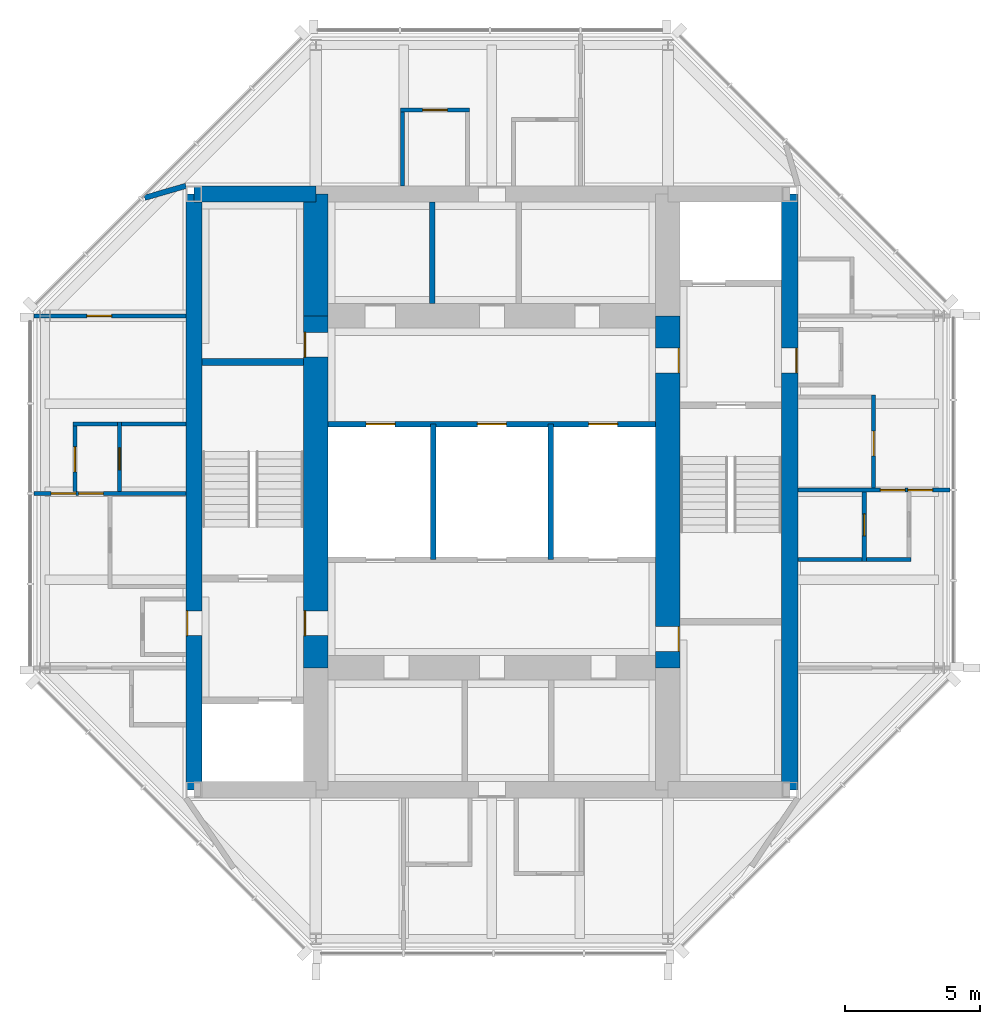
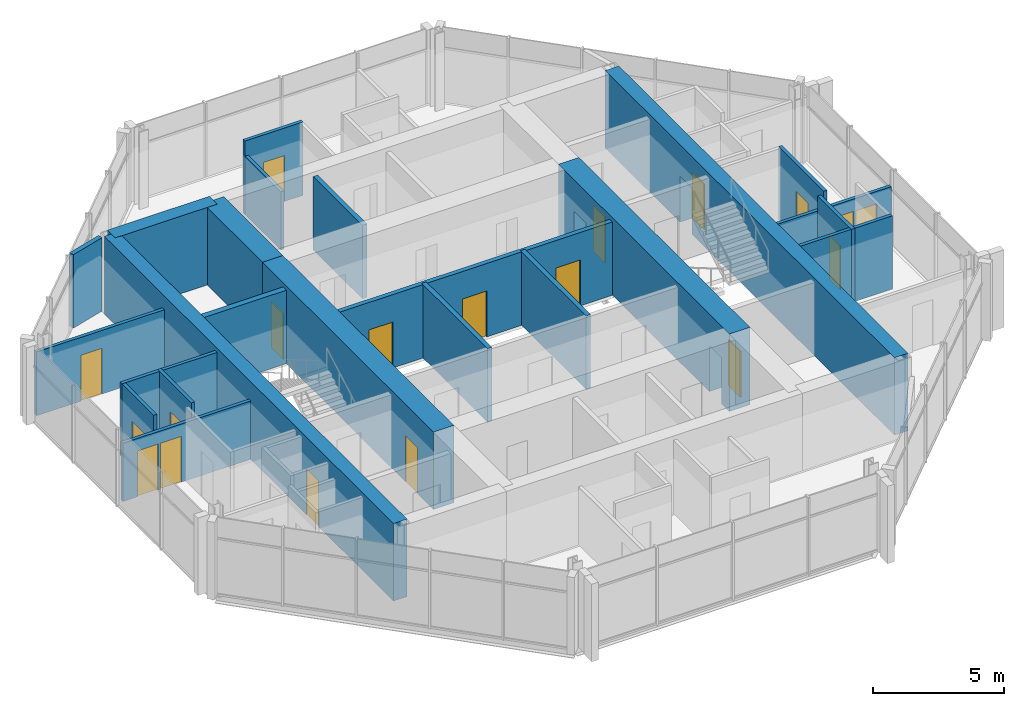
# One storey, part 6 of 9: 25 walls, 19 doors, 19 openings.
"""IFC4 building model written with IfcOpenShell, lengths in metres."""

from ifc_helpers import new_model, si_unit, direction, frame, frame_2d, origin, place, context, subcontext, project, spatial, rectangle, extrude, material, layer, layer_set, type_object, element, fill, save


model = new_model("IFC4")

# Units and contexts
model_context = context("Model", 3, precision=1e-05, world=origin(), true_north=direction((0.0, 1.0)))
body_context = subcontext(model_context, "Body", "Model", "MODEL_VIEW")
ifc_project = project(units=[si_unit("LENGTHUNIT", "METRE"), si_unit("AREAUNIT", "SQUARE_METRE"), si_unit("VOLUMEUNIT", "CUBIC_METRE"), si_unit("PLANEANGLEUNIT", "RADIAN"), si_unit("MASSUNIT", "GRAM", prefix="KILO")], contexts=[model_context])

# Site, building, storey
site_placement = place(None, origin())
site = spatial("IfcSite", under=ifc_project, at=site_placement, CompositionType="ELEMENT")
building_placement = place(site_placement, origin())
building = spatial("IfcBuilding", under=site, at=building_placement, Name="Trevanion Tower", CompositionType="ELEMENT")
storey_placement = place(building_placement, frame((0.0, 0.0, 277.60009765625)))
storey = spatial("IfcBuildingStorey", under=building, at=storey_placement, Name="L68", CompositionType="ELEMENT", Elevation=277.60009765625)

# Wall, opening, door
ifc_material_1 = material(Name="Concrete 10,000 psi", Category="concrete")
ifc_layer_1 = layer(ifc_material_1, 0.60009765625)
ifc_layer_set_1 = layer_set([ifc_layer_1], Name="CW1 core wall 600")
wall_type_1 = type_object("IfcWallType", Name="CW1 core wall 600", PredefinedType="SHEAR", material=ifc_layer_set_1)
wall_1_placement = place(storey_placement, frame((11.0, -11.0, 0.0), z_axis=(0.0, 0.0, 1.0), x_axis=(0.0, 1.0, 0.0)))
wall_1 = element("IfcWall", 1, at=wall_1_placement, inside=storey, type_object=wall_type_1, Name="CW1 CE L68", PredefinedType="SHEAR", context=body_context, shape_type="SweptSolid", body=[
    extrude(rectangle(XDim=22.0, YDim=0.60009765625, at=frame_2d((11.0, 0.0))), origin(), (0.0, 0.0, 1.0), 3.599853515625),
])
opening_1_placement = place(wall_1_placement, frame((15.392578125, 0.0, 0.0)))
opening_1 = element("IfcOpeningElement", 2, at=opening_1_placement, cuts=wall_1, Name="Opening 68-001", PredefinedType="OPENING", context=body_context, shape_type="SweptSolid", body=[
    extrude(rectangle(XDim=0.9150390625, YDim=2.134033203125, at=frame_2d((0.45751953125, 1.06689453125))), frame((0.0, 0.31005859375, 0.0), z_axis=(0.0, -1.0, 0.0), x_axis=(1.0, 0.0, 0.0)), (0.0, 0.0, 1.0), 0.6201171875),
])
ifc_material_2 = material(Name="Hollow metal, fire rated", Category="steel")
door_type_1 = type_object("IfcDoorType", Name="D3 fire lift lobby door", OperationType="SINGLE_SWING_RIGHT", PredefinedType="DOOR", material=ifc_material_2)
door_1_placement = place(opening_1_placement, origin())
door_1 = element("IfcDoor", 3, at=door_1_placement, inside=storey, type_object=door_type_1, Name="Door 68-001", OperationType="SINGLE_SWING_RIGHT", OverallHeight=2.134033203125, OverallWidth=0.9150390625, PredefinedType="DOOR", context=body_context, shape_type="SweptSolid", body=[
    extrude(rectangle(XDim=0.9150390625, YDim=2.134033203125, at=frame_2d((0.45751953125, 1.06689453125))), frame((0.0, -0.22509765625, 0.0), z_axis=(0.0, -1.0, 0.0), x_axis=(1.0, 0.0, 0.0)), (0.0, 0.0, 1.0), 0.050048828125),
])
fill(opening_1, door_1)

wall_2_placement = place(storey_placement, frame((-11.0, 11.0, 0.0), z_axis=(0.0, 0.0, 1.0), x_axis=(0.0, -1.0, 0.0)))
wall_2 = element("IfcWall", 4, at=wall_2_placement, inside=storey, type_object=wall_type_1, Name="CW1 CW L68", PredefinedType="SHEAR", context=body_context, shape_type="SweptSolid", body=[
    extrude(rectangle(XDim=22.0, YDim=0.60009765625, at=frame_2d((11.0, 0.0))), origin(), (0.0, 0.0, 1.0), 3.599853515625),
])
opening_2_placement = place(wall_2_placement, frame((15.392578125, 0.0, 0.0)))
opening_2 = element("IfcOpeningElement", 5, at=opening_2_placement, cuts=wall_2, Name="Opening 68-002", PredefinedType="OPENING", context=body_context, shape_type="SweptSolid", body=[
    extrude(rectangle(XDim=0.9150390625, YDim=2.134033203125, at=frame_2d((0.45751953125, 1.06689453125))), frame((0.0, 0.31005859375, 0.0), z_axis=(0.0, -1.0, 0.0), x_axis=(1.0, 0.0, 0.0)), (0.0, 0.0, 1.0), 0.6201171875),
])
door_2_placement = place(opening_2_placement, origin())
door_2 = element("IfcDoor", 6, at=door_2_placement, inside=storey, type_object=door_type_1, Name="Door 68-002", OperationType="SINGLE_SWING_RIGHT", OverallHeight=2.134033203125, OverallWidth=0.9150390625, PredefinedType="DOOR", context=body_context, shape_type="SweptSolid", body=[
    extrude(rectangle(XDim=0.9150390625, YDim=2.134033203125, at=frame_2d((0.45751953125, 1.06689453125))), frame((0.0, -0.22509765625, 0.0), z_axis=(0.0, -1.0, 0.0), x_axis=(1.0, 0.0, 0.0)), (0.0, 0.0, 1.0), 0.050048828125),
])
fill(opening_2, door_2)

# Wall
wall_3_placement = place(storey_placement, frame((-6.5, 11.0, 0.0), z_axis=(0.0, 0.0, 1.0), x_axis=(-1.0, 0.0, 0.0)))
element("IfcWall", 7, at=wall_3_placement, inside=storey, type_object=wall_type_1, Name="CW1 CN3 L68", PredefinedType="SHEAR", context=body_context, shape_type="SweptSolid", body=[
    extrude(rectangle(XDim=4.5, YDim=0.60009765625, at=frame_2d((2.25, 0.0))), origin(), (0.0, 0.0, 1.0), 3.599853515625),
])

# Wall, openings, doors
ifc_material_3 = material(Name="Concrete 10,000 psi", Category="concrete")
ifc_layer_2 = layer(ifc_material_3, 0.89990234375)
ifc_layer_set_2 = layer_set([ifc_layer_2], Name="CW2 core wall 900")
wall_type_2 = type_object("IfcWallType", Name="CW2 core wall 900", PredefinedType="SHEAR", material=ifc_layer_set_2)
wall_4_placement = place(storey_placement, frame((6.5, -6.5, 0.0), z_axis=(0.0, 0.0, 1.0), x_axis=(0.0, 1.0, 0.0)))
wall_4 = element("IfcWall", 8, at=wall_4_placement, inside=storey, type_object=wall_type_2, Name="CW2 RE2 L68", PredefinedType="SHEAR", context=body_context, shape_type="SweptSolid", body=[
    extrude(rectangle(XDim=13.0, YDim=0.89990234375, at=frame_2d((6.5, 0.0))), origin(), (0.0, 0.0, 1.0), 3.599853515625),
])
opening_3_placement = place(wall_4_placement, frame((10.892578125, 0.0, 0.0)))
opening_3 = element("IfcOpeningElement", 9, at=opening_3_placement, cuts=wall_4, Name="Opening 68-003", PredefinedType="OPENING", context=body_context, shape_type="SweptSolid", body=[
    extrude(rectangle(XDim=0.9150390625, YDim=2.134033203125, at=frame_2d((0.45751953125, 1.06689453125))), frame((0.0, 0.4599609375, 0.0), z_axis=(0.0, -1.0, 0.0), x_axis=(1.0, 0.0, 0.0)), (0.0, 0.0, 1.0), 0.919921875),
])
opening_4_placement = place(wall_4_placement, frame((0.610107421875, 0.0, 0.0)))
opening_4 = element("IfcOpeningElement", 10, at=opening_4_placement, cuts=wall_4, Name="Opening 68-009", PredefinedType="OPENING", context=body_context, shape_type="SweptSolid", body=[
    extrude(rectangle(XDim=0.9150390625, YDim=2.134033203125, at=frame_2d((0.45751953125, 1.06689453125))), frame((0.0, 0.4599609375, 0.0), z_axis=(0.0, -1.0, 0.0), x_axis=(1.0, 0.0, 0.0)), (0.0, 0.0, 1.0), 0.919921875),
])
door_3_placement = place(opening_3_placement, origin())
door_3 = element("IfcDoor", 11, at=door_3_placement, inside=storey, type_object=door_type_1, Name="Door 68-003", OperationType="SINGLE_SWING_RIGHT", OverallHeight=2.134033203125, OverallWidth=0.9150390625, PredefinedType="DOOR", context=body_context, shape_type="SweptSolid", body=[
    extrude(rectangle(XDim=0.9150390625, YDim=2.134033203125, at=frame_2d((0.45751953125, 1.06689453125))), frame((0.0, -0.375, 0.0), z_axis=(0.0, -1.0, 0.0), x_axis=(1.0, 0.0, 0.0)), (0.0, 0.0, 1.0), 0.050048828125),
])
fill(opening_3, door_3)
ifc_material_4 = material(Name="Hollow metal, fire rated", Category="steel")
door_type_2 = type_object("IfcDoorType", Name="D5 service room door", OperationType="SINGLE_SWING_RIGHT", PredefinedType="DOOR", material=ifc_material_4)
door_4_placement = place(opening_4_placement, origin())
door_4 = element("IfcDoor", 12, at=door_4_placement, inside=storey, type_object=door_type_2, Name="Door 68-009", OperationType="SINGLE_SWING_RIGHT", OverallHeight=2.134033203125, OverallWidth=0.9150390625, PredefinedType="DOOR", context=body_context, shape_type="SweptSolid", body=[
    extrude(rectangle(XDim=0.9150390625, YDim=2.134033203125, at=frame_2d((0.45751953125, 1.06689453125))), frame((0.0, -0.375, 0.0), z_axis=(0.0, -1.0, 0.0), x_axis=(1.0, 0.0, 0.0)), (0.0, 0.0, 1.0), 0.050048828125),
])
fill(opening_4, door_4)

# Wall
wall_5_placement = place(storey_placement, frame((-6.5, 11.0, 0.0), z_axis=(0.0, 0.0, 1.0), x_axis=(0.0, -1.0, 0.0)))
element("IfcWall", 13, at=wall_5_placement, inside=storey, type_object=wall_type_2, Name="CW2 RW1 L68", PredefinedType="SHEAR", context=body_context, shape_type="SweptSolid", body=[
    extrude(rectangle(XDim=4.5, YDim=0.89990234375, at=frame_2d((2.25, 0.0))), origin(), (0.0, 0.0, 1.0), 3.599853515625),
])

# Wall, openings, doors
wall_6_placement = place(storey_placement, frame((-6.5, 6.5, 0.0), z_axis=(0.0, 0.0, 1.0), x_axis=(0.0, -1.0, 0.0)))
wall_6 = element("IfcWall", 14, at=wall_6_placement, inside=storey, type_object=wall_type_2, Name="CW2 RW2 L68", PredefinedType="SHEAR", context=body_context, shape_type="SweptSolid", body=[
    extrude(rectangle(XDim=13.0, YDim=0.89990234375, at=frame_2d((6.5, 0.0))), origin(), (0.0, 0.0, 1.0), 3.599853515625),
])
opening_5_placement = place(wall_6_placement, frame((10.892578125, 0.0, 0.0)))
opening_5 = element("IfcOpeningElement", 15, at=opening_5_placement, cuts=wall_6, Name="Opening 68-004", PredefinedType="OPENING", context=body_context, shape_type="SweptSolid", body=[
    extrude(rectangle(XDim=0.9150390625, YDim=2.134033203125, at=frame_2d((0.45751953125, 1.06689453125))), frame((0.0, 0.4599609375, 0.0), z_axis=(0.0, -1.0, 0.0), x_axis=(1.0, 0.0, 0.0)), (0.0, 0.0, 1.0), 0.919921875),
])
opening_6_placement = place(wall_6_placement, frame((0.610107421875, 0.0, 0.0)))
opening_6 = element("IfcOpeningElement", 16, at=opening_6_placement, cuts=wall_6, Name="Opening 68-010", PredefinedType="OPENING", context=body_context, shape_type="SweptSolid", body=[
    extrude(rectangle(XDim=0.9150390625, YDim=2.134033203125, at=frame_2d((0.45751953125, 1.06689453125))), frame((0.0, 0.4599609375, 0.0), z_axis=(0.0, -1.0, 0.0), x_axis=(1.0, 0.0, 0.0)), (0.0, 0.0, 1.0), 0.919921875),
])
door_5_placement = place(opening_5_placement, origin())
door_5 = element("IfcDoor", 17, at=door_5_placement, inside=storey, type_object=door_type_1, Name="Door 68-004", OperationType="SINGLE_SWING_RIGHT", OverallHeight=2.134033203125, OverallWidth=0.9150390625, PredefinedType="DOOR", context=body_context, shape_type="SweptSolid", body=[
    extrude(rectangle(XDim=0.9150390625, YDim=2.134033203125, at=frame_2d((0.45751953125, 1.06689453125))), frame((0.0, -0.375, 0.0), z_axis=(0.0, -1.0, 0.0), x_axis=(1.0, 0.0, 0.0)), (0.0, 0.0, 1.0), 0.050048828125),
])
fill(opening_5, door_5)
door_6_placement = place(opening_6_placement, origin())
door_6 = element("IfcDoor", 18, at=door_6_placement, inside=storey, type_object=door_type_2, Name="Door 68-010", OperationType="SINGLE_SWING_RIGHT", OverallHeight=2.134033203125, OverallWidth=0.9150390625, PredefinedType="DOOR", context=body_context, shape_type="SweptSolid", body=[
    extrude(rectangle(XDim=0.9150390625, YDim=2.134033203125, at=frame_2d((0.45751953125, 1.06689453125))), frame((0.0, -0.375, 0.0), z_axis=(0.0, -1.0, 0.0), x_axis=(1.0, 0.0, 0.0)), (0.0, 0.0, 1.0), 0.050048828125),
])
fill(opening_6, door_6)

ifc_material_5 = material(Name="Gypsum board on steel studs", Category="steel")
ifc_layer_3 = layer(ifc_material_5, 0.14990234375)
ifc_layer_set_3 = layer_set([ifc_layer_3], Name="PT1 partition 150")
wall_type_3 = type_object("IfcWallType", Name="PT1 partition 150", PredefinedType="PARTITIONING", material=ifc_layer_set_3)
wall_7_placement = place(storey_placement, frame((11.300048828125, 0.06494140625, 0.0), z_axis=(0.0, 0.0, 1.0), x_axis=(1.0, 0.0, 0.0)))
wall_7 = element("IfcWall", 19, at=wall_7_placement, inside=storey, type_object=wall_type_3, Name="PT1 L68 REC1", PredefinedType="PARTITIONING", context=body_context, shape_type="SweptSolid", body=[
    extrude(rectangle(XDim=5.614990234375, YDim=0.14990234375, at=frame_2d((2.8076171875, 0.0))), origin(), (0.0, 0.0, 1.0), 2.708984375),
])
opening_7_placement = place(wall_7_placement, frame((3.04248046875, 0.0, 0.0)))
opening_7 = element("IfcOpeningElement", 20, at=opening_7_placement, cuts=wall_7, Name="Opening 68-029", PredefinedType="OPENING", context=body_context, shape_type="SweptSolid", body=[
    extrude(rectangle(XDim=0.9150390625, YDim=2.134033203125, at=frame_2d((0.45751953125, 1.06689453125))), frame((0.0, 0.0849609375, 0.0), z_axis=(0.0, -1.0, 0.0), x_axis=(1.0, 0.0, 0.0)), (0.0, 0.0, 1.0), 0.169921875),
])
opening_8_placement = place(wall_7_placement, frame((4.0576171875, 0.0, 0.0)))
opening_8 = element("IfcOpeningElement", 21, at=opening_8_placement, cuts=wall_7, Name="Opening 68-032", PredefinedType="OPENING", context=body_context, shape_type="SweptSolid", body=[
    extrude(rectangle(XDim=0.9150390625, YDim=2.134033203125, at=frame_2d((0.45751953125, 1.06689453125))), frame((0.0, 0.0849609375, 0.0), z_axis=(0.0, -1.0, 0.0), x_axis=(1.0, 0.0, 0.0)), (0.0, 0.0, 1.0), 0.169921875),
])
ifc_material_6 = material(Name="Timber veneer, solid core", Category="wood")
door_type_3 = type_object("IfcDoorType", Name="D1 office and meeting room door", OperationType="SINGLE_SWING_LEFT", PredefinedType="DOOR", material=ifc_material_6)
door_7_placement = place(opening_7_placement, origin())
door_7 = element("IfcDoor", 22, at=door_7_placement, inside=storey, type_object=door_type_3, Name="Door 68-029", OperationType="SINGLE_SWING_LEFT", OverallHeight=2.134033203125, OverallWidth=0.9150390625, PredefinedType="DOOR", context=body_context, shape_type="SweptSolid", body=[
    extrude(rectangle(XDim=0.9150390625, YDim=2.134033203125, at=frame_2d((0.45751953125, 1.06689453125))), frame((0.0, 0.02490234375, 0.0), z_axis=(0.0, -1.0, 0.0), x_axis=(1.0, 0.0, 0.0)), (0.0, 0.0, 1.0), 0.050048828125),
])
fill(opening_7, door_7)
door_8_placement = place(opening_8_placement, origin())
door_8 = element("IfcDoor", 23, at=door_8_placement, inside=storey, type_object=door_type_3, Name="Door 68-032", OperationType="SINGLE_SWING_LEFT", OverallHeight=2.134033203125, OverallWidth=0.9150390625, PredefinedType="DOOR", context=body_context, shape_type="SweptSolid", body=[
    extrude(rectangle(XDim=0.9150390625, YDim=2.134033203125, at=frame_2d((0.45751953125, 1.06689453125))), frame((0.0, 0.02490234375, 0.0), z_axis=(0.0, -1.0, 0.0), x_axis=(1.0, 0.0, 0.0)), (0.0, 0.0, 1.0), 0.050048828125),
])
fill(opening_8, door_8)

# Wall, opening, door
wall_8_placement = place(storey_placement, frame((14.10009765625, 0.139892578125, 0.0), z_axis=(0.0, 0.0, 1.0), x_axis=(0.0, 1.0, 0.0)))
wall_8 = element("IfcWall", 24, at=wall_8_placement, inside=storey, type_object=wall_type_3, Name="PT1 L68 REKF", PredefinedType="PARTITIONING", context=body_context, shape_type="SweptSolid", body=[
    extrude(rectangle(XDim=3.43505859375, YDim=0.14990234375, at=frame_2d((1.717529296875, 0.0))), origin(), (0.0, 0.0, 1.0), 3.409912109375),
])
opening_9_placement = place(wall_8_placement, frame((1.18505859375, 0.0, 0.0)))
opening_9 = element("IfcOpeningElement", 25, at=opening_9_placement, cuts=wall_8, Name="Opening 68-026", PredefinedType="OPENING", context=body_context, shape_type="SweptSolid", body=[
    extrude(rectangle(XDim=0.9150390625, YDim=2.134033203125, at=frame_2d((0.45751953125, 1.06689453125))), frame((0.0, 0.0849609375, 0.0), z_axis=(0.0, -1.0, 0.0), x_axis=(1.0, 0.0, 0.0)), (0.0, 0.0, 1.0), 0.169921875),
])
door_9_placement = place(opening_9_placement, origin())
door_9 = element("IfcDoor", 26, at=door_9_placement, inside=storey, type_object=door_type_3, Name="Door 68-026", OperationType="SINGLE_SWING_LEFT", OverallHeight=2.134033203125, OverallWidth=0.9150390625, PredefinedType="DOOR", context=body_context, shape_type="SweptSolid", body=[
    extrude(rectangle(XDim=0.9150390625, YDim=2.134033203125, at=frame_2d((0.45751953125, 1.06689453125))), frame((0.0, 0.02490234375, 0.0), z_axis=(0.0, -1.0, 0.0), x_axis=(1.0, 0.0, 0.0)), (0.0, 0.0, 1.0), 0.050048828125),
])
fill(opening_9, door_9)

wall_9_placement = place(storey_placement, frame((13.75, -2.574951171875, 0.0), z_axis=(0.0, 0.0, 1.0), x_axis=(0.0, 1.0, 0.0)))
wall_9 = element("IfcWall", 27, at=wall_9_placement, inside=storey, type_object=wall_type_3, Name="PT1 L68 RETF", PredefinedType="PARTITIONING", context=body_context, shape_type="SweptSolid", body=[
    extrude(rectangle(XDim=2.56494140625, YDim=0.14990234375, at=frame_2d((1.282470703125, 0.0))), origin(), (0.0, 0.0, 1.0), 3.409912109375),
])
opening_10_placement = place(wall_9_placement, frame((0.950927734375, 0.0, 0.0)))
opening_10 = element("IfcOpeningElement", 28, at=opening_10_placement, cuts=wall_9, Name="Opening 68-028", PredefinedType="OPENING", context=body_context, shape_type="SweptSolid", body=[
    extrude(rectangle(XDim=0.81298828125, YDim=2.031982421875, at=frame_2d((0.406494140625, 1.01611328125))), frame((0.0, 0.0849609375, 0.0), z_axis=(0.0, -1.0, 0.0), x_axis=(1.0, 0.0, 0.0)), (0.0, 0.0, 1.0), 0.169921875),
])
ifc_material_7 = material(Name="Timber veneer", Category="wood")
door_type_4 = type_object("IfcDoorType", Name="D14 residence bathroom door", OperationType="SINGLE_SWING_LEFT", PredefinedType="DOOR", material=ifc_material_7)
door_10_placement = place(opening_10_placement, origin())
door_10 = element("IfcDoor", 29, at=door_10_placement, inside=storey, type_object=door_type_4, Name="Door 68-028", OperationType="SINGLE_SWING_LEFT", OverallHeight=2.031982421875, OverallWidth=0.81298828125, PredefinedType="DOOR", context=body_context, shape_type="SweptSolid", body=[
    extrude(rectangle(XDim=0.81298828125, YDim=2.031982421875, at=frame_2d((0.406494140625, 1.01611328125))), frame((0.0, 0.02490234375, 0.0), z_axis=(0.0, -1.0, 0.0), x_axis=(1.0, 0.0, 0.0)), (0.0, 0.0, 1.0), 0.050048828125),
])
fill(opening_10, door_10)

# Walls
wall_10_placement = place(storey_placement, frame((11.300048828125, -2.5, 0.0), z_axis=(0.0, 0.0, 1.0), x_axis=(1.0, 0.0, 0.0)))
element("IfcWall", 30, at=wall_10_placement, inside=storey, type_object=wall_type_3, Name="PT1 L68 RETA", PredefinedType="PARTITIONING", context=body_context, shape_type="SweptSolid", body=[
    extrude(rectangle(XDim=2.375, YDim=0.14990234375, at=frame_2d((1.1875, 0.0))), origin(), (0.0, 0.0, 1.0), 3.409912109375),
])
wall_11_placement = place(storey_placement, frame((13.824951171875, -2.5, 0.0), z_axis=(0.0, 0.0, 1.0), x_axis=(1.0, 0.0, 0.0)))
element("IfcWall", 31, at=wall_11_placement, inside=storey, type_object=wall_type_3, Name="PT1 L68 REHY", PredefinedType="PARTITIONING", context=body_context, shape_type="SweptSolid", body=[
    extrude(rectangle(XDim=1.650146484375, YDim=0.14990234375, at=frame_2d((0.8251953125, 0.0))), origin(), (0.0, 0.0, 1.0), 3.409912109375),
])

# Wall, opening, door
wall_12_placement = place(storey_placement, frame((-0.824951171875, 14.10009765625, 0.0), z_axis=(0.0, 0.0, 1.0), x_axis=(-1.0, 0.0, 0.0)))
wall_12 = element("IfcWall", 32, at=wall_12_placement, inside=storey, type_object=wall_type_3, Name="PT1 L68 RNKF", PredefinedType="PARTITIONING", context=body_context, shape_type="SweptSolid", body=[
    extrude(rectangle(XDim=2.550048828125, YDim=0.14990234375, at=frame_2d((1.27490234375, 0.0))), origin(), (0.0, 0.0, 1.0), 3.409912109375),
])
opening_11_placement = place(wall_12_placement, frame((0.8173828125, 0.0, 0.0)))
opening_11 = element("IfcOpeningElement", 33, at=opening_11_placement, cuts=wall_12, Name="Opening 68-034", PredefinedType="OPENING", context=body_context, shape_type="SweptSolid", body=[
    extrude(rectangle(XDim=0.9150390625, YDim=2.134033203125, at=frame_2d((0.45751953125, 1.06689453125))), frame((0.0, 0.0849609375, 0.0), z_axis=(0.0, -1.0, 0.0), x_axis=(1.0, 0.0, 0.0)), (0.0, 0.0, 1.0), 0.169921875),
])
door_11_placement = place(opening_11_placement, origin())
door_11 = element("IfcDoor", 34, at=door_11_placement, inside=storey, type_object=door_type_3, Name="Door 68-034", OperationType="SINGLE_SWING_LEFT", OverallHeight=2.134033203125, OverallWidth=0.9150390625, PredefinedType="DOOR", context=body_context, shape_type="SweptSolid", body=[
    extrude(rectangle(XDim=0.9150390625, YDim=2.134033203125, at=frame_2d((0.45751953125, 1.06689453125))), frame((0.0, 0.02490234375, 0.0), z_axis=(0.0, -1.0, 0.0), x_axis=(1.0, 0.0, 0.0)), (0.0, 0.0, 1.0), 0.050048828125),
])
fill(opening_11, door_11)

# Wall
wall_13_placement = place(storey_placement, frame((-3.300048828125, 11.300048828125, 0.0), z_axis=(0.0, 0.0, 1.0), x_axis=(0.0, 1.0, 0.0)))
element("IfcWall", 35, at=wall_13_placement, inside=storey, type_object=wall_type_3, Name="PT1 L68 RNKB", PredefinedType="PARTITIONING", context=body_context, shape_type="SweptSolid", body=[
    extrude(rectangle(XDim=2.724853515625, YDim=0.14990234375, at=frame_2d((1.3623046875, 0.0))), origin(), (0.0, 0.0, 1.0), 2.708984375),
])

# Wall, opening, door
wall_14_placement = place(storey_placement, frame((-11.300048828125, 6.5, 0.0), z_axis=(0.0, 0.0, 1.0), x_axis=(-1.0, 0.0, 0.0)))
wall_14 = element("IfcWall", 36, at=wall_14_placement, inside=storey, type_object=wall_type_3, Name="PT1 L68 RWC0", PredefinedType="PARTITIONING", context=body_context, shape_type="SweptSolid", body=[
    extrude(rectangle(XDim=5.614990234375, YDim=0.14990234375, at=frame_2d((2.8076171875, 0.0))), origin(), (0.0, 0.0, 1.0), 2.965576171875),
])
opening_12_placement = place(wall_14_placement, frame((2.742431640625, 0.0, 0.0)))
opening_12 = element("IfcOpeningElement", 37, at=opening_12_placement, cuts=wall_14, Name="Opening 68-043", PredefinedType="OPENING", context=body_context, shape_type="SweptSolid", body=[
    extrude(rectangle(XDim=0.9150390625, YDim=2.134033203125, at=frame_2d((0.45751953125, 1.06689453125))), frame((0.0, 0.0849609375, 0.0), z_axis=(0.0, -1.0, 0.0), x_axis=(1.0, 0.0, 0.0)), (0.0, 0.0, 1.0), 0.169921875),
])
door_12_placement = place(opening_12_placement, origin())
door_12 = element("IfcDoor", 38, at=door_12_placement, inside=storey, type_object=door_type_3, Name="Door 68-043", OperationType="SINGLE_SWING_LEFT", OverallHeight=2.134033203125, OverallWidth=0.9150390625, PredefinedType="DOOR", context=body_context, shape_type="SweptSolid", body=[
    extrude(rectangle(XDim=0.9150390625, YDim=2.134033203125, at=frame_2d((0.45751953125, 1.06689453125))), frame((0.0, 0.02490234375, 0.0), z_axis=(0.0, -1.0, 0.0), x_axis=(1.0, 0.0, 0.0)), (0.0, 0.0, 1.0), 0.050048828125),
])
fill(opening_12, door_12)

# Wall, openings, doors
wall_15_placement = place(storey_placement, frame((-11.300048828125, -0.06494140625, 0.0), z_axis=(0.0, 0.0, 1.0), x_axis=(-1.0, 0.0, 0.0)))
wall_15 = element("IfcWall", 39, at=wall_15_placement, inside=storey, type_object=wall_type_3, Name="PT1 L68 RWC1", PredefinedType="PARTITIONING", context=body_context, shape_type="SweptSolid", body=[
    extrude(rectangle(XDim=5.614990234375, YDim=0.14990234375, at=frame_2d((2.8076171875, 0.0))), origin(), (0.0, 0.0, 1.0), 2.708984375),
])
opening_13_placement = place(wall_15_placement, frame((3.04248046875, 0.0, 0.0)))
opening_13 = element("IfcOpeningElement", 40, at=opening_13_placement, cuts=wall_15, Name="Opening 68-041", PredefinedType="OPENING", context=body_context, shape_type="SweptSolid", body=[
    extrude(rectangle(XDim=0.9150390625, YDim=2.134033203125, at=frame_2d((0.45751953125, 1.06689453125))), frame((0.0, 0.0849609375, 0.0), z_axis=(0.0, -1.0, 0.0), x_axis=(1.0, 0.0, 0.0)), (0.0, 0.0, 1.0), 0.169921875),
])
opening_14_placement = place(wall_15_placement, frame((4.0576171875, 0.0, 0.0)))
opening_14 = element("IfcOpeningElement", 41, at=opening_14_placement, cuts=wall_15, Name="Opening 68-044", PredefinedType="OPENING", context=body_context, shape_type="SweptSolid", body=[
    extrude(rectangle(XDim=0.9150390625, YDim=2.134033203125, at=frame_2d((0.45751953125, 1.06689453125))), frame((0.0, 0.0849609375, 0.0), z_axis=(0.0, -1.0, 0.0), x_axis=(1.0, 0.0, 0.0)), (0.0, 0.0, 1.0), 0.169921875),
])
door_13_placement = place(opening_13_placement, origin())
door_13 = element("IfcDoor", 42, at=door_13_placement, inside=storey, type_object=door_type_3, Name="Door 68-041", OperationType="SINGLE_SWING_LEFT", OverallHeight=2.134033203125, OverallWidth=0.9150390625, PredefinedType="DOOR", context=body_context, shape_type="SweptSolid", body=[
    extrude(rectangle(XDim=0.9150390625, YDim=2.134033203125, at=frame_2d((0.45751953125, 1.06689453125))), frame((0.0, 0.02490234375, 0.0), z_axis=(0.0, -1.0, 0.0), x_axis=(1.0, 0.0, 0.0)), (0.0, 0.0, 1.0), 0.050048828125),
])
fill(opening_13, door_13)
door_14_placement = place(opening_14_placement, origin())
door_14 = element("IfcDoor", 43, at=door_14_placement, inside=storey, type_object=door_type_3, Name="Door 68-044", OperationType="SINGLE_SWING_LEFT", OverallHeight=2.134033203125, OverallWidth=0.9150390625, PredefinedType="DOOR", context=body_context, shape_type="SweptSolid", body=[
    extrude(rectangle(XDim=0.9150390625, YDim=2.134033203125, at=frame_2d((0.45751953125, 1.06689453125))), frame((0.0, 0.02490234375, 0.0), z_axis=(0.0, -1.0, 0.0), x_axis=(1.0, 0.0, 0.0)), (0.0, 0.0, 1.0), 0.050048828125),
])
fill(opening_14, door_14)

# Wall, opening, door
wall_16_placement = place(storey_placement, frame((-13.75, 2.574951171875, 0.0), z_axis=(0.0, 0.0, 1.0), x_axis=(0.0, -1.0, 0.0)))
wall_16 = element("IfcWall", 44, at=wall_16_placement, inside=storey, type_object=wall_type_3, Name="PT1 L68 RWTF", PredefinedType="PARTITIONING", context=body_context, shape_type="SweptSolid", body=[
    extrude(rectangle(XDim=2.56494140625, YDim=0.14990234375, at=frame_2d((1.282470703125, 0.0))), origin(), (0.0, 0.0, 1.0), 3.409912109375),
])
opening_15_placement = place(wall_16_placement, frame((0.950927734375, 0.0, 0.0)))
opening_15 = element("IfcOpeningElement", 45, at=opening_15_placement, cuts=wall_16, Name="Opening 68-040", PredefinedType="OPENING", context=body_context, shape_type="SweptSolid", body=[
    extrude(rectangle(XDim=0.81298828125, YDim=2.031982421875, at=frame_2d((0.406494140625, 1.01611328125))), frame((0.0, 0.0849609375, 0.0), z_axis=(0.0, -1.0, 0.0), x_axis=(1.0, 0.0, 0.0)), (0.0, 0.0, 1.0), 0.169921875),
])
door_15_placement = place(opening_15_placement, origin())
door_15 = element("IfcDoor", 46, at=door_15_placement, inside=storey, type_object=door_type_4, Name="Door 68-040", OperationType="SINGLE_SWING_LEFT", OverallHeight=2.031982421875, OverallWidth=0.81298828125, PredefinedType="DOOR", context=body_context, shape_type="SweptSolid", body=[
    extrude(rectangle(XDim=0.81298828125, YDim=2.031982421875, at=frame_2d((0.406494140625, 1.01611328125))), frame((0.0, 0.02490234375, 0.0), z_axis=(0.0, -1.0, 0.0), x_axis=(1.0, 0.0, 0.0)), (0.0, 0.0, 1.0), 0.050048828125),
])
fill(opening_15, door_15)

# Wall
wall_17_placement = place(storey_placement, frame((-11.300048828125, 2.5, 0.0), z_axis=(0.0, 0.0, 1.0), x_axis=(-1.0, 0.0, 0.0)))
element("IfcWall", 47, at=wall_17_placement, inside=storey, type_object=wall_type_3, Name="PT1 L68 RWTA", PredefinedType="PARTITIONING", context=body_context, shape_type="SweptSolid", body=[
    extrude(rectangle(XDim=2.375, YDim=0.14990234375, at=frame_2d((1.1875, 0.0))), origin(), (0.0, 0.0, 1.0), 3.409912109375),
])

# Wall, opening, door
wall_18_placement = place(storey_placement, frame((-15.39990234375, 0.010009765625, 0.0), z_axis=(0.0, 0.0, 1.0), x_axis=(0.0, 1.0, 0.0)))
wall_18 = element("IfcWall", 48, at=wall_18_placement, inside=storey, type_object=wall_type_3, Name="PT1 L68 RWHX", PredefinedType="PARTITIONING", context=body_context, shape_type="SweptSolid", body=[
    extrude(rectangle(XDim=2.56494140625, YDim=0.14990234375, at=frame_2d((1.282470703125, 0.0))), origin(), (0.0, 0.0, 1.0), 3.409912109375),
])
opening_16_placement = place(wall_18_placement, frame((0.732421875, 0.0, 0.0)))
opening_16 = element("IfcOpeningElement", 49, at=opening_16_placement, cuts=wall_18, Name="Opening 68-042", PredefinedType="OPENING", context=body_context, shape_type="SweptSolid", body=[
    extrude(rectangle(XDim=0.9150390625, YDim=2.134033203125, at=frame_2d((0.45751953125, 1.06689453125))), frame((0.0, 0.0849609375, 0.0), z_axis=(0.0, -1.0, 0.0), x_axis=(1.0, 0.0, 0.0)), (0.0, 0.0, 1.0), 0.169921875),
])
door_16_placement = place(opening_16_placement, origin())
door_16 = element("IfcDoor", 50, at=door_16_placement, inside=storey, type_object=door_type_3, Name="Door 68-042", OperationType="SINGLE_SWING_LEFT", OverallHeight=2.134033203125, OverallWidth=0.9150390625, PredefinedType="DOOR", context=body_context, shape_type="SweptSolid", body=[
    extrude(rectangle(XDim=0.9150390625, YDim=2.134033203125, at=frame_2d((0.45751953125, 1.06689453125))), frame((0.0, 0.02490234375, 0.0), z_axis=(0.0, -1.0, 0.0), x_axis=(1.0, 0.0, 0.0)), (0.0, 0.0, 1.0), 0.050048828125),
])
fill(opening_16, door_16)

# Wall
wall_19_placement = place(storey_placement, frame((-13.824951171875, 2.5, 0.0), z_axis=(0.0, 0.0, 1.0), x_axis=(-1.0, 0.0, 0.0)))
element("IfcWall", 51, at=wall_19_placement, inside=storey, type_object=wall_type_3, Name="PT1 L68 RWHY", PredefinedType="PARTITIONING", context=body_context, shape_type="SweptSolid", body=[
    extrude(rectangle(XDim=1.650146484375, YDim=0.14990234375, at=frame_2d((0.8251953125, 0.0))), origin(), (0.0, 0.0, 1.0), 3.409912109375),
])

# Wall, openings, doors
ifc_material_8 = material(Name="Concrete masonry, grouted", Category="masonry")
ifc_layer_4 = layer(ifc_material_8, 0.199951171875)
ifc_layer_set_4 = layer_set([ifc_layer_4], Name="PT2 partition 200 1 HR")
wall_type_4 = type_object("IfcWallType", Name="PT2 partition 200 1 HR", PredefinedType="PARTITIONING", material=ifc_layer_set_4)
wall_20_placement = place(storey_placement, frame((-6.050048828125, 2.5, 0.0), z_axis=(0.0, 0.0, 1.0), x_axis=(1.0, 0.0, 0.0)))
wall_20 = element("IfcWall", 52, at=wall_20_placement, inside=storey, type_object=wall_type_4, Name="PT2 L68 CP1", PredefinedType="PARTITIONING", context=body_context, shape_type="SweptSolid", body=[
    extrude(rectangle(XDim=12.10009765625, YDim=0.199951171875, at=frame_2d((6.050048828125, 0.0))), origin(), (0.0, 0.0, 1.0), 3.409912109375),
])
opening_17_placement = place(wall_20_placement, frame((1.408203125, 0.0, 0.0)))
opening_17 = element("IfcOpeningElement", 53, at=opening_17_placement, cuts=wall_20, Name="Opening 68-011", PredefinedType="OPENING", context=body_context, shape_type="SweptSolid", body=[
    extrude(rectangle(XDim=1.06689453125, YDim=2.134033203125, at=frame_2d((0.533447265625, 1.06689453125))), frame((0.0, 0.10986328125, 0.0), z_axis=(0.0, -1.0, 0.0), x_axis=(1.0, 0.0, 0.0)), (0.0, 0.0, 1.0), 0.219970703125),
])
opening_18_placement = place(wall_20_placement, frame((5.5166015625, 0.0, 0.0)))
opening_18 = element("IfcOpeningElement", 54, at=opening_18_placement, cuts=wall_20, Name="Opening 68-013", PredefinedType="OPENING", context=body_context, shape_type="SweptSolid", body=[
    extrude(rectangle(XDim=1.06689453125, YDim=2.134033203125, at=frame_2d((0.533447265625, 1.06689453125))), frame((0.0, 0.10986328125, 0.0), z_axis=(0.0, -1.0, 0.0), x_axis=(1.0, 0.0, 0.0)), (0.0, 0.0, 1.0), 0.219970703125),
])
opening_19_placement = place(wall_20_placement, frame((9.624755859375, 0.0, 0.0)))
opening_19 = element("IfcOpeningElement", 55, at=opening_19_placement, cuts=wall_20, Name="Opening 68-015", PredefinedType="OPENING", context=body_context, shape_type="SweptSolid", body=[
    extrude(rectangle(XDim=1.06689453125, YDim=2.134033203125, at=frame_2d((0.533447265625, 1.06689453125))), frame((0.0, 0.10986328125, 0.0), z_axis=(0.0, -1.0, 0.0), x_axis=(1.0, 0.0, 0.0)), (0.0, 0.0, 1.0), 0.219970703125),
])
ifc_material_9 = material(Name="Stainless steel, fire rated", Category="steel")
door_type_5 = type_object("IfcDoorType", Name="LD1 lift landing door", OperationType="SLIDING_TO_LEFT", PredefinedType="DOOR", material=ifc_material_9)
door_17_placement = place(opening_17_placement, origin())
door_17 = element("IfcDoor", 56, at=door_17_placement, inside=storey, type_object=door_type_5, Name="Door 68-011", OperationType="SLIDING_TO_LEFT", OverallHeight=2.134033203125, OverallWidth=1.06689453125, PredefinedType="DOOR", context=body_context, shape_type="SweptSolid", body=[
    extrude(rectangle(XDim=1.06689453125, YDim=2.134033203125, at=frame_2d((0.533447265625, 1.06689453125))), frame((0.0, 0.02490234375, 0.0), z_axis=(0.0, -1.0, 0.0), x_axis=(1.0, 0.0, 0.0)), (0.0, 0.0, 1.0), 0.050048828125),
])
fill(opening_17, door_17)
door_18_placement = place(opening_18_placement, origin())
door_18 = element("IfcDoor", 57, at=door_18_placement, inside=storey, type_object=door_type_5, Name="Door 68-013", OperationType="SLIDING_TO_LEFT", OverallHeight=2.134033203125, OverallWidth=1.06689453125, PredefinedType="DOOR", context=body_context, shape_type="SweptSolid", body=[
    extrude(rectangle(XDim=1.06689453125, YDim=2.134033203125, at=frame_2d((0.533447265625, 1.06689453125))), frame((0.0, 0.02490234375, 0.0), z_axis=(0.0, -1.0, 0.0), x_axis=(1.0, 0.0, 0.0)), (0.0, 0.0, 1.0), 0.050048828125),
])
fill(opening_18, door_18)
door_19_placement = place(opening_19_placement, origin())
door_19 = element("IfcDoor", 58, at=door_19_placement, inside=storey, type_object=door_type_5, Name="Door 68-015", OperationType="SLIDING_TO_LEFT", OverallHeight=2.134033203125, OverallWidth=1.06689453125, PredefinedType="DOOR", context=body_context, shape_type="SweptSolid", body=[
    extrude(rectangle(XDim=1.06689453125, YDim=2.134033203125, at=frame_2d((0.533447265625, 1.06689453125))), frame((0.0, 0.02490234375, 0.0), z_axis=(0.0, -1.0, 0.0), x_axis=(1.0, 0.0, 0.0)), (0.0, 0.0, 1.0), 0.050048828125),
])
fill(opening_19, door_19)

# Walls
wall_21_placement = place(storey_placement, frame((-2.199951171875, 6.949951171875, 0.0), z_axis=(0.0, 0.0, 1.0), x_axis=(0.0, 1.0, 0.0)))
element("IfcWall", 59, at=wall_21_placement, inside=storey, type_object=wall_type_4, Name="PT2 L68 CNP1", PredefinedType="PARTITIONING", context=body_context, shape_type="SweptSolid", body=[
    extrude(rectangle(XDim=3.75, YDim=0.199951171875, at=frame_2d((1.875, 0.0))), origin(), (0.0, 0.0, 1.0), 3.409912109375),
])
wall_22_placement = place(storey_placement, frame((-11.300048828125, 11.300048828125, 0.0), z_axis=(0.0, 0.0, 1.0), x_axis=(-0.960552344683, -0.278099250491, 0.0)))
element("IfcWall", 60, at=wall_22_placement, inside=storey, type_object=wall_type_4, Name="PT2 L68 UB1", PredefinedType="PARTITIONING", context=body_context, shape_type="SweptSolid", body=[
    extrude(rectangle(XDim=1.583740234375, YDim=0.199951171875, at=frame_2d((0.7919921875, 0.0))), origin(), (0.0, 0.0, 1.0), 3.409912109375),
])
ifc_material_10 = material(Name="Concrete masonry, grouted", Category="masonry")
ifc_layer_5 = layer(ifc_material_10, 0.199951171875)
ifc_layer_set_5 = layer_set([ifc_layer_5], Name="PT2 partition 200 2 HR")
wall_type_5 = type_object("IfcWallType", Name="PT2 partition 200 2 HR", PredefinedType="PARTITIONING", material=ifc_layer_set_5)
for number, where, z_axis, x_axis, name in (
    (61, (-2.166748046875, -2.5, 0.0), (0.0, 0.0, 1.0), (0.0, 1.0, 0.0), "PT2 L68 MS0"),
    (62, (2.166748046875, -2.5, 0.0), (0.0, 0.0, 1.0), (0.0, 1.0, 0.0), "PT2 L68 MS1"),
):
    element("IfcWall", number, at=place(storey_placement, frame(where, z_axis=z_axis, x_axis=x_axis)), inside=storey, type_object=wall_type_5, Name=name, PredefinedType="PARTITIONING", context=body_context, shape_type="SweptSolid", body=[
        extrude(rectangle(XDim=5.0, YDim=0.199951171875, at=frame_2d((2.5, 0.0))), origin(), (0.0, 0.0, 1.0), 3.409912109375),
    ])
ifc_material_11 = material(Name="Reinforced masonry, fully grouted", Category="masonry")
ifc_layer_6 = layer(ifc_material_11, 0.25)
ifc_layer_set_6 = layer_set([ifc_layer_6], Name="SW1 stair shaft wall 250")
wall_type_6 = type_object("IfcWallType", Name="SW1 stair shaft wall 250", PredefinedType="SOLIDWALL", material=ifc_layer_set_6)
wall_23_placement = place(storey_placement, frame((-6.949951171875, 4.800048828125, 0.0), z_axis=(0.0, 0.0, 1.0), x_axis=(-1.0, 0.0, 0.0)))
element("IfcWall", 63, at=wall_23_placement, inside=storey, type_object=wall_type_6, Name="SW1 L68 WP1", PredefinedType="SOLIDWALL", context=body_context, shape_type="SweptSolid", body=[
    extrude(rectangle(XDim=3.75, YDim=0.25, at=frame_2d((1.875, 0.0))), origin(), (0.0, 0.0, 1.0), 3.409912109375),
])

save(model, "model.ifc")
